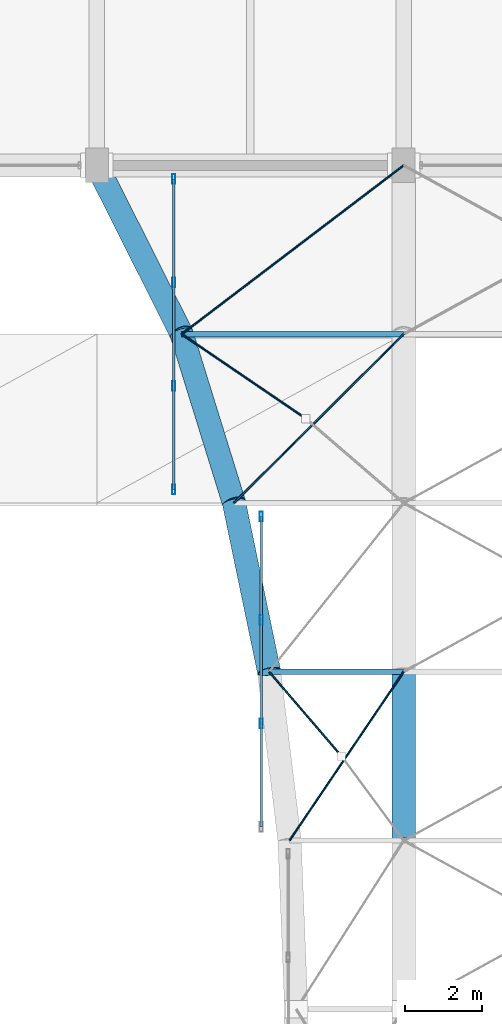
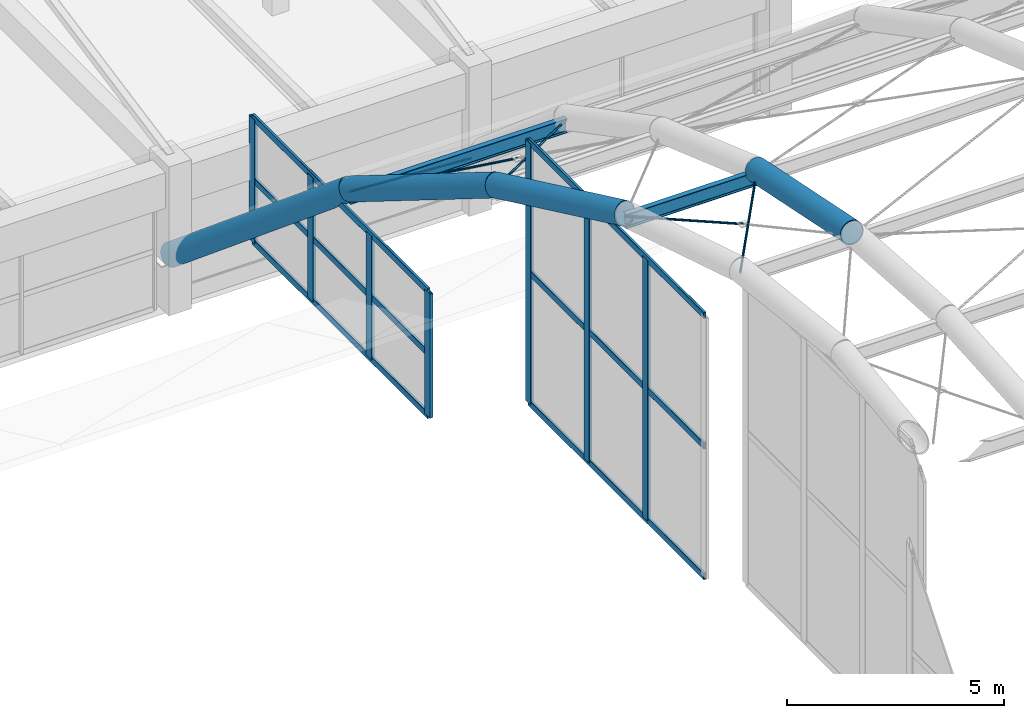
# One storey, part 66 of 126: 18 members, 6 beams, 2 elements without a shape of their own.
"""IFC4 building model written with IfcOpenShell, lengths in metres."""

from ifc_helpers import new_model, si_unit, direction, frame, origin, origin_2d, place, context, subcontext, project, spatial, hollow_rectangle, circle, hollow_circle, i_section, extrude, material, material_profile, profile_set, type_object, element, aggregate, save


model = new_model("IFC4")

# Units and contexts
model_context = context("Model", 3, precision=1e-05, world=origin(), true_north=direction((0.0, 1.0)))
body_context = subcontext(model_context, "Body", "Model", "MODEL_VIEW")
ifc_project = project(units=[si_unit("LENGTHUNIT", "METRE"), si_unit("AREAUNIT", "SQUARE_METRE"), si_unit("VOLUMEUNIT", "CUBIC_METRE"), si_unit("PLANEANGLEUNIT", "RADIAN"), si_unit("MASSUNIT", "GRAM", prefix="KILO")], contexts=[model_context])

# Site, building, storey
site_placement = place(None, origin())
site = spatial("IfcSite", under=ifc_project, at=site_placement, CompositionType="ELEMENT")
building_placement = place(site_placement, origin())
building = spatial("IfcBuilding", under=site, at=building_placement, Name="Varnabhumi Central Station", CompositionType="ELEMENT")
storey_placement = place(building_placement, frame((0.0, 0.0, 16.199951171875)))
storey = spatial("IfcBuildingStorey", under=building, at=storey_placement, Name="L03", CompositionType="ELEMENT", Elevation=16.199951171875)

# Beams
ifc_material_1 = material(Name="Structural steel E450", Category="steel")
ifc_material_profile_1 = material_profile(ifc_material_1, hollow_circle(Radius=0.304931640625, WallThickness=0.02490234375, at=origin_2d()), Name="Structural steel E450", Category="steel")
ifc_profile_set_1 = profile_set([ifc_material_profile_1], Name="Structural steel E450")
beam_type_1 = type_object("IfcBeamType", Name="BM-ARCH-CHS610", PredefinedType="BEAM", material=ifc_profile_set_1)
beam_1_placement = place(storey_placement, frame((132.491455078125, 66.800048828125, 8.950927734375), z_axis=(-0.192327801584, 0.925783023545, -0.325477818066), x_axis=(-0.979095067091, -0.20340317008, 0.0)))
element("IfcBeam", 1, at=beam_1_placement, inside=storey, type_object=beam_type_1, Name="Platform Train-Shed Vault Arch Rib 1 Seg 8", PredefinedType="BEAM", context=body_context, shape_type="SweptSolid", body=[
    extrude(hollow_circle(Radius=0.304931640625, WallThickness=0.02490234375, at=origin_2d()), origin(), (0.0, 0.0, 1.0), 4.752685546875),
])
beam_2_placement = place(storey_placement, frame((131.577392578125, 71.199951171875, 7.404052734375), z_axis=(-0.264652666631, 0.854043869418, -0.447848227813), x_axis=(-0.95518924728, -0.295995780173, 0.0)))
element("IfcBeam", 2, at=beam_2_placement, inside=storey, type_object=beam_type_1, Name="Platform Train-Shed Vault Arch Rib 1 Seg 9", PredefinedType="BEAM", context=body_context, shape_type="SweptSolid", body=[
    extrude(hollow_circle(Radius=0.304931640625, WallThickness=0.02490234375, at=origin_2d()), origin(), (0.0, 0.0, 1.0), 5.152099609375),
])
beam_3_placement = place(storey_placement, frame((130.2138671875, 75.60009765625, 5.0966796875), z_axis=(-0.35774033359, 0.710983269956, -0.605412787745), x_axis=(-0.893294210393, -0.449472417037, 0.0)))
element("IfcBeam", 3, at=beam_3_placement, inside=storey, type_object=beam_type_1, Name="Platform Train-Shed Vault Arch Rib 1 Seg 10", PredefinedType="BEAM", context=body_context, shape_type="SweptSolid", body=[
    extrude(hollow_circle(Radius=0.304931640625, WallThickness=0.02490234375, at=origin_2d()), origin(), (0.0, 0.0, 1.0), 6.1884765625),
])
beam_4_placement = place(storey_placement, frame((136.0, 62.39990234375, 9.85302734375), z_axis=(0.0, 0.979624368007, -0.200838486367), x_axis=(-1.0, 0.0, 0.0)))
element("IfcBeam", 4, at=beam_4_placement, inside=storey, type_object=beam_type_1, Name="Platform Train-Shed Vault Arch Rib 2 Seg 7", PredefinedType="BEAM", context=body_context, shape_type="SweptSolid", body=[
    extrude(hollow_circle(Radius=0.304931640625, WallThickness=0.02490234375, at=origin_2d()), origin(), (0.0, 0.0, 1.0), 4.49169921875),
])
ifc_material_2 = material(Name="Structural steel E350", Category="steel")
ifc_material_profile_2 = material_profile(ifc_material_2, i_section(OverallWidth=0.139892578125, OverallDepth=0.39990234375, WebThickness=0.0087890625, FlangeThickness=0.01611328125, FilletRadius=0.013916015625, at=origin_2d()), Name="Structural steel E350", Category="steel")
ifc_profile_set_2 = profile_set([ifc_material_profile_2], Name="Structural steel E350")
beam_type_2 = type_object("IfcBeamType", Name="BM-PUR-ISMB400", PredefinedType="LINTEL", material=ifc_profile_set_2)
beam_5_placement = place(storey_placement, frame((132.491455078125, 66.800048828125, 8.7509765625), z_axis=(1.0, 0.0, 0.0), x_axis=(0.0, 1.0, 0.0)))
element("IfcBeam", 5, at=beam_5_placement, inside=storey, type_object=beam_type_2, Name="Platform Train-Shed Vault Purlin B1-L7", PredefinedType="LINTEL", context=body_context, shape_type="SweptSolid", body=[
    extrude(i_section(OverallWidth=0.139892578125, OverallDepth=0.39990234375, WebThickness=0.0087890625, FlangeThickness=0.01611328125, FilletRadius=0.013916015625, at=origin_2d()), origin(), (0.0, 0.0, 1.0), 3.508544921875),
])
beam_6_placement = place(storey_placement, frame((130.2138671875, 75.60009765625, 4.896728515625), z_axis=(1.0, 0.0, 0.0), x_axis=(0.0, 1.0, 0.0)))
element("IfcBeam", 6, at=beam_6_placement, inside=storey, type_object=beam_type_2, Name="Platform Train-Shed Vault Purlin B1-L9", PredefinedType="LINTEL", context=body_context, shape_type="SweptSolid", body=[
    extrude(i_section(OverallWidth=0.139892578125, OverallDepth=0.39990234375, WebThickness=0.0087890625, FlangeThickness=0.01611328125, FilletRadius=0.013916015625, at=origin_2d()), origin(), (0.0, 0.0, 1.0), 5.7861328125),
])

# Curtain wall, members
ifc_material_3 = material(Name="Anodised aluminium 6063-T6", Category="aluminium")
curtain_wall_type = type_object("IfcCurtainWallType", Name="CW-VAULT-ARCH-V5", PredefinedType="NOTDEFINED", material=ifc_material_3)
curtain_wall_1_placement = place(storey_placement, origin())
curtain_wall_1 = element("IfcCurtainWall", 7, at=curtain_wall_1_placement, inside=storey, type_object=curtain_wall_type, Name="Curtain Wall CW-V54", PredefinedType="NOTDEFINED")
ifc_material_profile_3 = material_profile(ifc_material_3, hollow_rectangle(XDim=0.080078125, YDim=0.25, WallThickness=0.0048828125, InnerFilletRadius=0.0009765625, OuterFilletRadius=0.006103515625, at=origin_2d()), Name="Anodised aluminium 6063-T6", Category="aluminium")
ifc_profile_set_3 = profile_set([ifc_material_profile_3], Name="Anodised aluminium 6063-T6")
member_type_1 = type_object("IfcMemberType", Name="CW-MUL-250", PredefinedType="MULLION", material=ifc_profile_set_3)
member_1_placement = place(storey_placement, frame((132.284912109375, 65.449951171875, 1.25), z_axis=(0.0, 0.0, 1.0), x_axis=(1.0, 0.0, 0.0)))
member_1 = element("IfcMember", 8, at=member_1_placement, type_object=member_type_1, Name="Curtain Wall Mullion CW-V54-M2", PredefinedType="MULLION", context=body_context, shape_type="SweptSolid", body=[
    extrude(hollow_rectangle(XDim=0.080078125, YDim=0.25, WallThickness=0.0048828125, InnerFilletRadius=0.0009765625, OuterFilletRadius=0.006103515625, at=origin_2d()), origin(), (0.0, 0.0, 1.0), 7.350830078125),
])
member_2_placement = place(storey_placement, frame((132.284912109375, 68.14990234375, 1.25), z_axis=(0.0, 0.0, 1.0), x_axis=(1.0, 0.0, 0.0)))
member_2 = element("IfcMember", 9, at=member_2_placement, type_object=member_type_1, Name="Curtain Wall Mullion CW-V54-M3", PredefinedType="MULLION", context=body_context, shape_type="SweptSolid", body=[
    extrude(hollow_rectangle(XDim=0.080078125, YDim=0.25, WallThickness=0.0048828125, InnerFilletRadius=0.0009765625, OuterFilletRadius=0.006103515625, at=origin_2d()), origin(), (0.0, 0.0, 1.0), 7.350830078125),
])
member_3_placement = place(storey_placement, frame((132.284912109375, 70.85009765625, 1.25), z_axis=(0.0, 0.0, 1.0), x_axis=(1.0, 0.0, 0.0)))
member_3 = element("IfcMember", 10, at=member_3_placement, type_object=member_type_1, Name="Curtain Wall Mullion CW-V54-M4", PredefinedType="MULLION", context=body_context, shape_type="SweptSolid", body=[
    extrude(hollow_rectangle(XDim=0.080078125, YDim=0.25, WallThickness=0.0048828125, InnerFilletRadius=0.0009765625, OuterFilletRadius=0.006103515625, at=origin_2d()), origin(), (0.0, 0.0, 1.0), 7.350830078125),
])

curtain_wall_2_placement = place(storey_placement, origin())
curtain_wall_2 = element("IfcCurtainWall", 11, at=curtain_wall_2_placement, inside=storey, type_object=curtain_wall_type, Name="Curtain Wall CW-V55", PredefinedType="NOTDEFINED")
member_4_placement = place(storey_placement, frame((130.007080078125, 71.550048828125, 1.25), z_axis=(0.0, 0.0, 1.0), x_axis=(1.0, 0.0, 0.0)))
member_4 = element("IfcMember", 12, at=member_4_placement, type_object=member_type_1, Name="Curtain Wall Mullion CW-V55-M1", PredefinedType="MULLION", context=body_context, shape_type="SweptSolid", body=[
    extrude(hollow_rectangle(XDim=0.080078125, YDim=0.25, WallThickness=0.0048828125, InnerFilletRadius=0.0009765625, OuterFilletRadius=0.006103515625, at=origin_2d()), origin(), (0.0, 0.0, 1.0), 3.49658203125),
])
member_5_placement = place(storey_placement, frame((130.007080078125, 74.25, 1.25), z_axis=(0.0, 0.0, 1.0), x_axis=(1.0, 0.0, 0.0)))
member_5 = element("IfcMember", 13, at=member_5_placement, type_object=member_type_1, Name="Curtain Wall Mullion CW-V55-M2", PredefinedType="MULLION", context=body_context, shape_type="SweptSolid", body=[
    extrude(hollow_rectangle(XDim=0.080078125, YDim=0.25, WallThickness=0.0048828125, InnerFilletRadius=0.0009765625, OuterFilletRadius=0.006103515625, at=origin_2d()), origin(), (0.0, 0.0, 1.0), 3.49658203125),
])
member_6_placement = place(storey_placement, frame((130.007080078125, 76.949951171875, 1.25), z_axis=(0.0, 0.0, 1.0), x_axis=(1.0, 0.0, 0.0)))
member_6 = element("IfcMember", 14, at=member_6_placement, type_object=member_type_1, Name="Curtain Wall Mullion CW-V55-M3", PredefinedType="MULLION", context=body_context, shape_type="SweptSolid", body=[
    extrude(hollow_rectangle(XDim=0.080078125, YDim=0.25, WallThickness=0.0048828125, InnerFilletRadius=0.0009765625, OuterFilletRadius=0.006103515625, at=origin_2d()), origin(), (0.0, 0.0, 1.0), 3.49658203125),
])
member_7_placement = place(storey_placement, frame((130.007080078125, 79.64990234375, 1.25), z_axis=(0.0, 0.0, 1.0), x_axis=(1.0, 0.0, 0.0)))
member_7 = element("IfcMember", 15, at=member_7_placement, type_object=member_type_1, Name="Curtain Wall Mullion CW-V55-M4", PredefinedType="MULLION", context=body_context, shape_type="SweptSolid", body=[
    extrude(hollow_rectangle(XDim=0.080078125, YDim=0.25, WallThickness=0.0048828125, InnerFilletRadius=0.0009765625, OuterFilletRadius=0.006103515625, at=origin_2d()), origin(), (0.0, 0.0, 1.0), 3.49658203125),
])

# Member
ifc_material_profile_4 = material_profile(ifc_material_3, hollow_rectangle(XDim=0.06494140625, YDim=0.179931640625, WallThickness=0.00390625, InnerFilletRadius=0.001953125, OuterFilletRadius=0.006103515625, at=origin_2d()), Name="Anodised aluminium 6063-T6", Category="aluminium")
ifc_profile_set_4 = profile_set([ifc_material_profile_4], Name="Anodised aluminium 6063-T6")
member_type_2 = type_object("IfcMemberType", Name="CW-TR-180", PredefinedType="USERDEFINED", material=ifc_profile_set_4)
member_8_placement = place(storey_placement, frame((132.284912109375, 62.75, 1.25), z_axis=(0.0, 1.0, 0.0), x_axis=(-1.0, 0.0, 0.0)))
member_8 = element("IfcMember", 16, at=member_8_placement, type_object=member_type_2, Name="Curtain Wall Transom CW-V54-T1", ObjectType="TRANSOM", PredefinedType="USERDEFINED", context=body_context, shape_type="SweptSolid", body=[
    extrude(hollow_rectangle(XDim=0.06494140625, YDim=0.179931640625, WallThickness=0.00390625, InnerFilletRadius=0.001953125, OuterFilletRadius=0.006103515625, at=origin_2d()), origin(), (0.0, 0.0, 1.0), 8.10009765625),
])

member_9_placement = place(storey_placement, frame((132.284912109375, 62.75, 4.925537109375), z_axis=(0.0, 1.0, 0.0), x_axis=(-1.0, 0.0, 0.0)))
member_9 = element("IfcMember", 17, at=member_9_placement, type_object=member_type_2, Name="Curtain Wall Transom CW-V54-T2", ObjectType="TRANSOM", PredefinedType="USERDEFINED", context=body_context, shape_type="SweptSolid", body=[
    extrude(hollow_rectangle(XDim=0.06494140625, YDim=0.179931640625, WallThickness=0.00390625, InnerFilletRadius=0.001953125, OuterFilletRadius=0.006103515625, at=origin_2d()), origin(), (0.0, 0.0, 1.0), 8.10009765625),
])

member_10_placement = place(storey_placement, frame((132.284912109375, 62.75, 8.600830078125), z_axis=(0.0, 1.0, 0.0), x_axis=(-1.0, 0.0, 0.0)))
member_10 = element("IfcMember", 18, at=member_10_placement, type_object=member_type_2, Name="Curtain Wall Transom CW-V54-T3", ObjectType="TRANSOM", PredefinedType="USERDEFINED", context=body_context, shape_type="SweptSolid", body=[
    extrude(hollow_rectangle(XDim=0.06494140625, YDim=0.179931640625, WallThickness=0.00390625, InnerFilletRadius=0.001953125, OuterFilletRadius=0.006103515625, at=origin_2d()), origin(), (0.0, 0.0, 1.0), 8.10009765625),
])

aggregate(curtain_wall_1, [member_1, member_2, member_3, member_8, member_9, member_10])

member_11_placement = place(storey_placement, frame((130.007080078125, 71.550048828125, 1.25), z_axis=(0.0, 1.0, 0.0), x_axis=(-1.0, 0.0, 0.0)))
member_11 = element("IfcMember", 19, at=member_11_placement, type_object=member_type_2, Name="Curtain Wall Transom CW-V55-T1", ObjectType="TRANSOM", PredefinedType="USERDEFINED", context=body_context, shape_type="SweptSolid", body=[
    extrude(hollow_rectangle(XDim=0.06494140625, YDim=0.179931640625, WallThickness=0.00390625, InnerFilletRadius=0.001953125, OuterFilletRadius=0.006103515625, at=origin_2d()), origin(), (0.0, 0.0, 1.0), 8.099853515625),
])

member_12_placement = place(storey_placement, frame((130.007080078125, 71.550048828125, 2.998291015625), z_axis=(0.0, 1.0, 0.0), x_axis=(-1.0, 0.0, 0.0)))
member_12 = element("IfcMember", 20, at=member_12_placement, type_object=member_type_2, Name="Curtain Wall Transom CW-V55-T2", ObjectType="TRANSOM", PredefinedType="USERDEFINED", context=body_context, shape_type="SweptSolid", body=[
    extrude(hollow_rectangle(XDim=0.06494140625, YDim=0.179931640625, WallThickness=0.00390625, InnerFilletRadius=0.001953125, OuterFilletRadius=0.006103515625, at=origin_2d()), origin(), (0.0, 0.0, 1.0), 8.099853515625),
])

member_13_placement = place(storey_placement, frame((130.007080078125, 71.550048828125, 4.74658203125), z_axis=(0.0, 1.0, 0.0), x_axis=(-1.0, 0.0, 0.0)))
member_13 = element("IfcMember", 21, at=member_13_placement, type_object=member_type_2, Name="Curtain Wall Transom CW-V55-T3", ObjectType="TRANSOM", PredefinedType="USERDEFINED", context=body_context, shape_type="SweptSolid", body=[
    extrude(hollow_rectangle(XDim=0.06494140625, YDim=0.179931640625, WallThickness=0.00390625, InnerFilletRadius=0.001953125, OuterFilletRadius=0.006103515625, at=origin_2d()), origin(), (0.0, 0.0, 1.0), 8.099853515625),
])

aggregate(curtain_wall_2, [member_4, member_5, member_6, member_7, member_11, member_12, member_13])

# Members
ifc_material_4 = material(Name="Spiral-strand steel S1570", Category="steel")
ifc_material_profile_5 = material_profile(ifc_material_4, circle(Radius=0.030029296875, at=origin_2d()), Name="Spiral-strand steel S1570", Category="steel")
ifc_profile_set_5 = profile_set([ifc_material_profile_5], Name="Spiral-strand steel S1570")
member_type_3 = type_object("IfcMemberType", Name="MBR-CABLE-D60", PredefinedType="USERDEFINED", material=ifc_profile_set_5)
member_14_placement = place(storey_placement, frame((133.0244140625, 62.39990234375, 9.77294921875), z_axis=(0.552274613083, 0.816675857531, -0.167431464994), x_axis=(-0.828369353295, 0.56018230472, 0.0)))
element("IfcMember", 22, at=member_14_placement, inside=storey, type_object=member_type_3, Name="Platform Train-Shed Vault Cable-Net Tie B1-P7A", ObjectType="TENSION CABLE", PredefinedType="USERDEFINED", context=body_context, shape_type="SweptSolid", body=[
    extrude(circle(Radius=0.030029296875, at=origin_2d()), origin(), (0.0, 0.0, 1.0), 5.387939453125),
])
member_15_placement = place(storey_placement, frame((132.491455078125, 66.800048828125, 8.870849609375), z_axis=(0.643398092798, -0.749923711577, 0.153796362112), x_axis=(0.758953309225, 0.651145048676, 0.0)))
element("IfcMember", 23, at=member_15_placement, inside=storey, type_object=member_type_3, Name="Platform Train-Shed Vault Cable-Net Split Tie B1-P7B1", ObjectType="TENSION CABLE", PredefinedType="USERDEFINED", context=body_context, shape_type="SweptSolid", body=[
    extrude(circle(Radius=0.030029296875, at=origin_2d()), origin(), (0.0, 0.0, 1.0), 2.93359375),
])
member_16_placement = place(storey_placement, frame((131.577392578125, 71.199951171875, 7.323974609375), z_axis=(0.664886760452, 0.661510023937, -0.346886269557), x_axis=(-0.705304345535, 0.708904634044, 0.0)))
element("IfcMember", 24, at=member_16_placement, inside=storey, type_object=member_type_3, Name="Platform Train-Shed Vault Cable-Net Tie B1-P9A", ObjectType="TENSION CABLE", PredefinedType="USERDEFINED", context=body_context, shape_type="SweptSolid", body=[
    extrude(circle(Radius=0.030029296875, at=origin_2d()), origin(), (0.0, 0.0, 1.0), 6.651611328125),
])
member_17_placement = place(storey_placement, frame((130.2138671875, 75.60009765625, 5.0166015625), z_axis=(0.793006282878, -0.539526847448, 0.282934296609), x_axis=(0.562511463414, 0.826789485617, 0.0)))
element("IfcMember", 25, at=member_17_placement, inside=storey, type_object=member_type_3, Name="Platform Train-Shed Vault Cable-Net Split Tie B1-P9B1", ObjectType="TENSION CABLE", PredefinedType="USERDEFINED", context=body_context, shape_type="SweptSolid", body=[
    extrude(circle(Radius=0.030029296875, at=origin_2d()), origin(), (0.0, 0.0, 1.0), 4.078125),
])
member_18_placement = place(storey_placement, frame((130.2138671875, 75.60009765625, 5.0166015625), z_axis=(0.707547111794, 0.538034348049, -0.458144218464), x_axis=(-0.605296142156, 0.796000364504, 0.0)))
element("IfcMember", 26, at=member_18_placement, inside=storey, type_object=member_type_3, Name="Platform Train-Shed Vault Cable-Net Tie B1-P10A", ObjectType="TENSION CABLE", PredefinedType="USERDEFINED", context=body_context, shape_type="SweptSolid", body=[
    extrude(circle(Radius=0.030029296875, at=origin_2d()), origin(), (0.0, 0.0, 1.0), 8.177734375),
])

save(model, "model.ifc")
